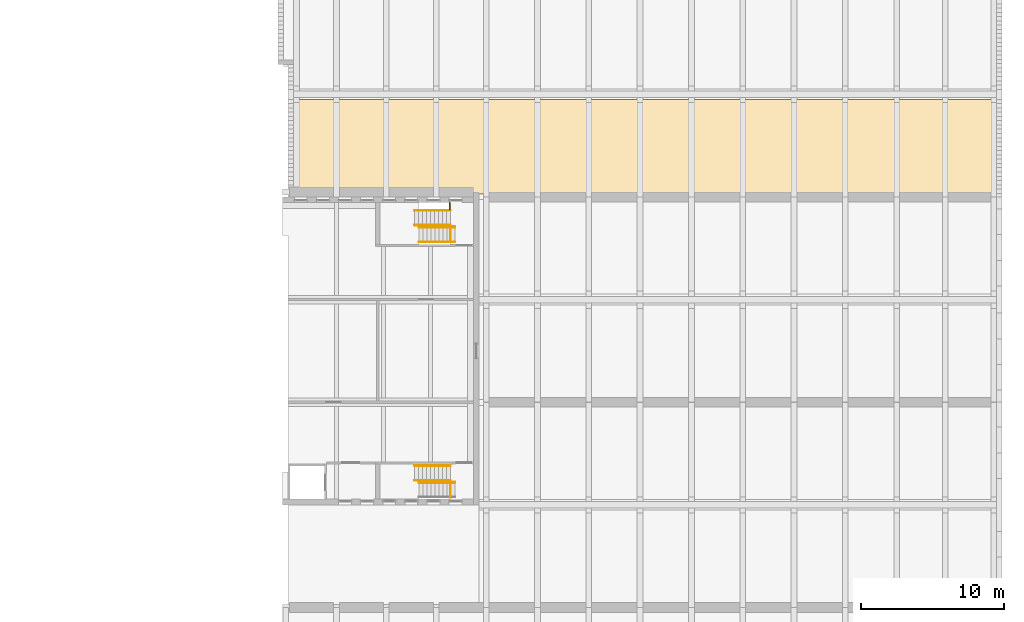
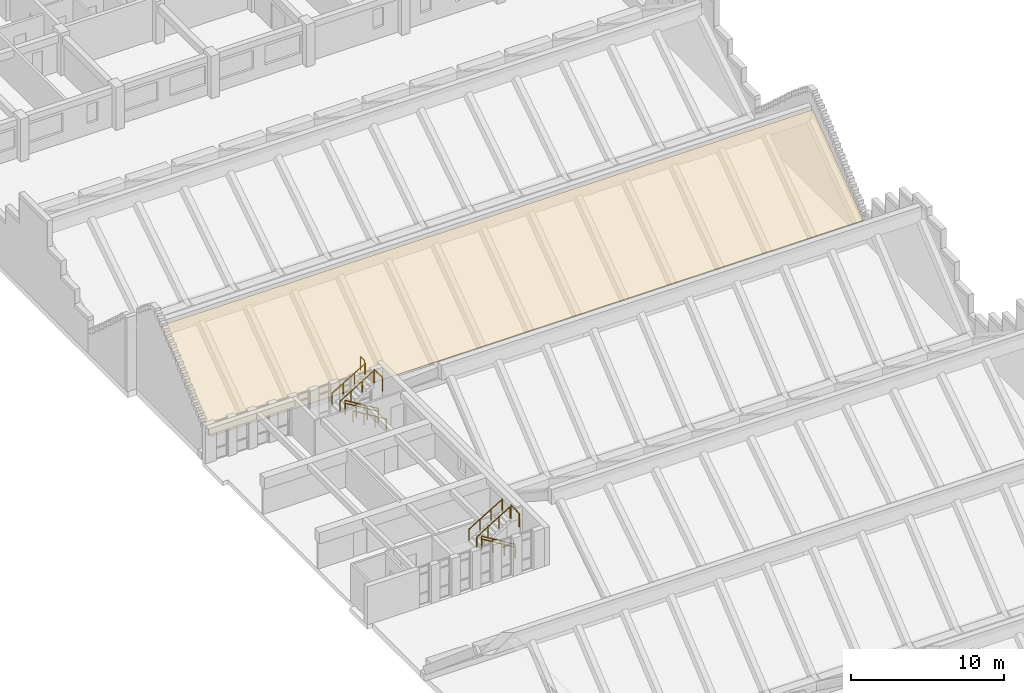
# One storey, part 30 of 31: 12 railings, 1 covering.
"""IFC4 building model written with IfcOpenShell, lengths in metres."""

import ifcopenshell
import ifcopenshell.guid

model = None  # the IFC model being written
_history = None  # IfcOwnerHistory: only IFC2X3 demands one
_inside = {}  # id of a spatial element -> (the spatial element, [elements in it])
_under = {}  # id of a project, library or spatial element -> (it, [spatial elements below it])
_declared = {}  # id of a project -> (the project, [libraries it declares])
_typed = {}  # id of a type object -> (the type object, [elements of that type])
_made_of = {}  # id of a material, layer set ... -> (it, [elements and type objects made of it])


def new_model(schema):
    """Start an empty IFC model of exactly this schema.

    Asked for "IFC4X3", IfcOpenShell would pick the latest addendum, in which some entities
    have other attributes; the version numbers below select the first issue.
    IFC2X3 requires an IfcOwnerHistory on every rooted entity: one is made here for all.
    """
    global model, _history
    if schema == "IFC4X3":
        model = ifcopenshell.file(schema_version=(4, 3, 0, 0))
    else:
        model = ifcopenshell.file(schema=schema)
    _inside.clear()
    _under.clear()
    _declared.clear()
    _typed.clear()
    _made_of.clear()
    _history = None
    if model.schema == "IFC2X3":
        org = make("IfcOrganization", Name="unknown")
        user = make(
            "IfcPersonAndOrganization",
            ThePerson=make("IfcPerson", FamilyName="unknown"),
            TheOrganization=org,
        )
        app = make(
            "IfcApplication",
            ApplicationDeveloper=org,
            Version="unknown",
            ApplicationFullName="unknown",
            ApplicationIdentifier="unknown",
        )
        _history = make(
            "IfcOwnerHistory",
            OwningUser=user,
            OwningApplication=app,
            ChangeAction="ADDED",
            CreationDate=0,
        )
    return model


def make(cls, **values):
    """One entity of the class cls with the attributes given. An attribute that is None is left unset."""
    return model.create_entity(
        cls, **{name: value for name, value in values.items() if value is not None}
    )


def rooted(cls, **values):
    """An entity with a GlobalId (a new one), such as an element, a storey or a relation."""
    return make(cls, GlobalId=ifcopenshell.guid.new(), OwnerHistory=_history, **values)


def si_unit(unit_type, name, prefix=None):
    """IfcSIUnit, for example si_unit("LENGTHUNIT", "METRE", prefix="MILLI")."""
    return make("IfcSIUnit", UnitType=unit_type, Prefix=prefix, Name=name)


def assignment(units):
    """IfcUnitAssignment: the units of a project."""
    return None if units is None else make("IfcUnitAssignment", Units=units)


def point(xyz):
    """IfcCartesianPoint."""
    return None if xyz is None else make("IfcCartesianPoint", Coordinates=xyz)


def direction(xyz):
    """IfcDirection."""
    return None if xyz is None else make("IfcDirection", DirectionRatios=xyz)


def frame(location, z_axis=None, x_axis=None):
    """IfcAxis2Placement3D, a coordinate frame: its origin and axes. An axis left out is left unset."""
    return make(
        "IfcAxis2Placement3D",
        Location=point(location),
        Axis=direction(z_axis),
        RefDirection=direction(x_axis),
    )


def frame_2d(location, x_axis=None):
    """IfcAxis2Placement2D, a coordinate frame in the plane: its origin and x axis."""
    return make(
        "IfcAxis2Placement2D", Location=point(location), RefDirection=direction(x_axis)
    )


def origin():
    """The frame at (0, 0, 0) with its axes left unset."""
    return frame((0.0, 0.0, 0.0))


def origin_2d():
    """The frame at (0, 0) in the plane with its x axis left unset."""
    return frame_2d((0.0, 0.0))


def place(relative_to, where):
    """IfcLocalPlacement: puts the frame where relative to a parent placement (None: the world)."""
    return make(
        "IfcLocalPlacement", PlacementRelTo=relative_to, RelativePlacement=where
    )


def context(
    kind, dimensions, precision=None, world=None, true_north=None, identifier=None
):
    """IfcGeometricRepresentationContext, for example the 3D "Model" context."""
    return make(
        "IfcGeometricRepresentationContext",
        ContextIdentifier=identifier,
        ContextType=kind,
        CoordinateSpaceDimension=dimensions,
        Precision=precision,
        WorldCoordinateSystem=world,
        TrueNorth=true_north,
    )


def subcontext(parent, identifier, kind, view, scale=None):
    """IfcGeometricRepresentationSubContext, for example "Body" below "Model"."""
    return make(
        "IfcGeometricRepresentationSubContext",
        ContextIdentifier=identifier,
        ContextType=kind,
        ParentContext=parent,
        TargetScale=scale,
        TargetView=view,
    )


def project(units=None, contexts=None):
    """IfcProject with its units and contexts."""
    return rooted(
        "IfcProject",
        Name="project",
        RepresentationContexts=contexts,
        UnitsInContext=assignment(units),
    )


def spatial(cls, under=None, at=None, **own):
    """A site, building, storey or space (cls), placed at a placement, below another one or the project."""
    s = rooted(cls, ObjectPlacement=at, **own)
    if under is not None:
        _under.setdefault(under.id(), (under, []))[1].append(s)
    return s


def polyline(points):
    """IfcPolyline through the points."""
    return make("IfcPolyline", Points=[point(p) for p in points])


def profile(cls, at=None, kind="AREA", **sizes):
    """A parametric profile (cls). Its sizes go by their IFC names, for example OverallWidth=200.0."""
    return make(cls, ProfileType=kind, Position=at, **sizes)


def circle(**sizes):
    """IfcCircleProfileDef."""
    return profile("IfcCircleProfileDef", **sizes)


def outline(outer, holes=None, kind="AREA"):
    """IfcArbitraryClosedProfileDef: a profile drawn as a closed curve; with holes, ...WithVoids."""
    if holes is None:
        return make("IfcArbitraryClosedProfileDef", ProfileType=kind, OuterCurve=outer)
    return make(
        "IfcArbitraryProfileDefWithVoids",
        ProfileType=kind,
        OuterCurve=outer,
        InnerCurves=holes,
    )


def extrude(swept, where, along, depth):
    """IfcExtrudedAreaSolid: the profile swept, set in the frame where, extruded along a direction by depth."""
    return make(
        "IfcExtrudedAreaSolid",
        SweptArea=swept,
        Position=where,
        ExtrudedDirection=direction(along),
        Depth=depth,
    )


def shape(context_of_items, identifier, shape_type, items):
    """IfcShapeRepresentation: the items that make up one representation, for example the "Body"."""
    return make(
        "IfcShapeRepresentation",
        ContextOfItems=context_of_items,
        RepresentationIdentifier=identifier,
        RepresentationType=shape_type,
        Items=items,
    )


def material(Name=None, Category=None):
    """IfcMaterial."""
    return make("IfcMaterial", Name=Name, Category=Category)


def layer(
    of_material, thickness, ventilated=None, Name=None, Category=None, Priority=None
):
    """IfcMaterialLayer: one layer of a wall or slab, of a material (None: an air gap)."""
    return make(
        "IfcMaterialLayer",
        Material=of_material,
        LayerThickness=thickness,
        IsVentilated=ventilated,
        Name=Name,
        Category=Category,
        Priority=Priority,
    )


def layer_set(layers, Name=None):
    """IfcMaterialLayerSet."""
    return make("IfcMaterialLayerSet", MaterialLayers=layers, LayerSetName=Name)


def made_of(thing, what):
    """Note that an element or type object is made of a material, layer set ...; save() writes the relation."""
    if what is not None:
        _made_of.setdefault(what.id(), (what, []))[1].append(thing)
    return thing


def type_object(cls, material=None, **own):
    """A type object (cls), such as IfcWallType, which elements share."""
    return made_of(rooted(cls, **own), material)


def element(
    cls,
    number,
    at=None,
    inside=None,
    cuts=None,
    type_object=None,
    material=None,
    context=None,
    identifier="Body",
    shape_type=None,
    held_by="IfcProductDefinitionShape",
    body=None,
    shapes=None,
    **own,
):
    """One element of the class cls, such as IfcWall. Its Tag is "e" and its number.

    at: its placement. inside: the storey or other place that contains it. cuts: it is an
    opening in that element (IfcRelVoidsElement). A single representation is given by context,
    identifier, shape_type and body (its items); several are given by shapes. held_by: the class
    of the entity that holds the representations. save() writes the other relations.
    """
    e = rooted(cls, Tag="e%d" % number, ObjectPlacement=at, **own)
    if body is not None:
        shapes = [shape(context, identifier, shape_type, body)]
    if shapes is not None:
        e.Representation = make(held_by, Representations=shapes)
    if inside is not None:
        _inside.setdefault(inside.id(), (inside, []))[1].append(e)
    if cuts is not None:
        rooted(
            "IfcRelVoidsElement", RelatingBuildingElement=cuts, RelatedOpeningElement=e
        )
    if type_object is not None:
        _typed.setdefault(type_object.id(), (type_object, []))[1].append(e)
    return made_of(e, material)


def aggregate(whole, parts):
    """IfcRelAggregates: a whole, such as a stair, and the parts it consists of."""
    return rooted("IfcRelAggregates", RelatingObject=whole, RelatedObjects=parts)


def save(model, path):
    """Write the relations noted so far, then the file.

    IfcRelAggregates (storeys below a building ...), IfcRelContainedInSpatialStructure (elements
    in a storey), IfcRelDefinesByType, IfcRelAssociatesMaterial and IfcRelDeclares: one each for
    every whole, place, type object, material and project.
    """
    for whole, parts in _under.values():
        aggregate(whole, parts)
    for where, things in _inside.values():
        rooted(
            "IfcRelContainedInSpatialStructure",
            RelatedElements=things,
            RelatingStructure=where,
        )
    for kind, things in _typed.values():
        rooted("IfcRelDefinesByType", RelatedObjects=things, RelatingType=kind)
    for what, things in _made_of.values():
        rooted("IfcRelAssociatesMaterial", RelatedObjects=things, RelatingMaterial=what)
    for by, libraries in _declared.values():
        rooted("IfcRelDeclares", RelatingContext=by, RelatedDefinitions=libraries)
    model.write(path)


model = new_model("IFC4")

# Units and contexts
model_context = context("Model", 3, precision=1e-05, world=origin(), true_north=direction((0.0, 1.0)))
body_context = subcontext(model_context, "Body", "Model", "MODEL_VIEW")
ifc_project = project(units=[si_unit("LENGTHUNIT", "METRE"), si_unit("AREAUNIT", "SQUARE_METRE"), si_unit("VOLUMEUNIT", "CUBIC_METRE"), si_unit("PLANEANGLEUNIT", "RADIAN"), si_unit("MASSUNIT", "GRAM", prefix="KILO")], contexts=[model_context])

# Site, building, storey
site_placement = place(None, origin())
site = spatial("IfcSite", under=ifc_project, at=site_placement, CompositionType="ELEMENT")
building_placement = place(site_placement, origin())
building = spatial("IfcBuilding", under=site, at=building_placement, Name="Vermilion Court Aquatics Centre", CompositionType="ELEMENT")
storey_placement = place(building_placement, frame((0.0, 0.0, 16.5)))
storey = spatial("IfcBuildingStorey", under=building, at=storey_placement, Name="L03", CompositionType="ELEMENT", Elevation=16.5)

# Railings
ifc_material_1 = material(Name="Steel ASTM A992 Grade 50", Category="steel")
railing_type_1 = type_object("IfcRailingType", Name="Diving Tower stair guard 1100", PredefinedType="GUARDRAIL", material=ifc_material_1)
railing_1_placement = place(storey_placement, frame((156.199951171875, 37.60498046875, 0.169921875)))
element("IfcRailing", 1, at=railing_1_placement, inside=storey, type_object=railing_type_1, Name="Stair 1 guard well L03", PredefinedType="GUARDRAIL", context=body_context, shape_type="SweptSolid", body=[
    extrude(circle(Radius=0.02392578125, at=origin_2d()), frame((0.0, 0.0, 1.076171875), z_axis=(-0.85478489116, 0.0, 0.518982456201), x_axis=(0.0, -1.0, 0.0)), (0.0, 0.0, 1.0), 2.9482421875),
    extrude(circle(Radius=0.02099609375, at=origin_2d()), origin(), (0.0, 0.0, 1.0), 1.052001953125),
    extrude(circle(Radius=0.02099609375, at=origin_2d()), frame((-0.840087890625, 0.0, 0.510009765625)), (0.0, 0.0, 1.0), 1.052001953125),
    extrude(circle(Radius=0.02099609375, at=origin_2d()), frame((-1.679931640625, 0.0, 1.02001953125)), (0.0, 0.0, 1.0), 1.052001953125),
    extrude(circle(Radius=0.02099609375, at=origin_2d()), frame((-2.52001953125, 0.0, 1.530029296875)), (0.0, 0.0, 1.0), 1.052001953125),
])
railing_2_placement = place(storey_placement, frame((155.89990234375, 37.60009765625, 3.39990234375)))
element("IfcRailing", 2, at=railing_2_placement, inside=storey, type_object=railing_type_1, Name="Stair 1 floor edge guard L03", PredefinedType="GUARDRAIL", context=body_context, shape_type="SweptSolid", body=[
    extrude(circle(Radius=0.02392578125, at=origin_2d()), frame((0.0, 0.0, 1.076171875), z_axis=(0.0, -1.0, 0.0), x_axis=(1.0, 0.0, 0.0)), (0.0, 0.0, 1.0), 1.070068359375),
    extrude(circle(Radius=0.02099609375, at=origin_2d()), origin(), (0.0, 0.0, 1.0), 1.052001953125),
    extrude(circle(Radius=0.02099609375, at=origin_2d()), frame((0.0, -1.070068359375, 0.0)), (0.0, 0.0, 1.0), 1.052001953125),
])
railing_3_placement = place(storey_placement, frame((156.199951171875, 55.5048828125, 0.169921875)))
element("IfcRailing", 3, at=railing_3_placement, inside=storey, type_object=railing_type_1, Name="Stair 2 guard well L03", PredefinedType="GUARDRAIL", context=body_context, shape_type="SweptSolid", body=[
    extrude(circle(Radius=0.02392578125, at=origin_2d()), frame((0.0, 0.0, 1.076171875), z_axis=(-0.85478489116, 0.0, 0.518982456201), x_axis=(0.0, -1.0, 0.0)), (0.0, 0.0, 1.0), 2.9482421875),
    extrude(circle(Radius=0.02099609375, at=origin_2d()), origin(), (0.0, 0.0, 1.0), 1.052001953125),
    extrude(circle(Radius=0.02099609375, at=origin_2d()), frame((-0.840087890625, 0.0, 0.510009765625)), (0.0, 0.0, 1.0), 1.052001953125),
    extrude(circle(Radius=0.02099609375, at=origin_2d()), frame((-1.679931640625, 0.0, 1.02001953125)), (0.0, 0.0, 1.0), 1.052001953125),
    extrude(circle(Radius=0.02099609375, at=origin_2d()), frame((-2.52001953125, 0.0, 1.530029296875)), (0.0, 0.0, 1.0), 1.052001953125),
])
railing_4_placement = place(storey_placement, frame((155.85009765625, 56.699951171875, 3.39990234375)))
element("IfcRailing", 4, at=railing_4_placement, inside=storey, type_object=railing_type_1, Name="Stair 2 floor edge guard slot L03", PredefinedType="GUARDRAIL", context=body_context, shape_type="SweptSolid", body=[
    extrude(circle(Radius=0.02392578125, at=origin_2d()), frame((0.0, 0.0, 1.076171875), z_axis=(0.0, 1.0, 0.0), x_axis=(-1.0, 0.0, 0.0)), (0.0, 0.0, 1.0), 0.5),
    extrude(circle(Radius=0.02099609375, at=origin_2d()), origin(), (0.0, 0.0, 1.0), 1.052001953125),
    extrude(circle(Radius=0.02099609375, at=origin_2d()), frame((0.0, 0.5, 0.0)), (0.0, 0.0, 1.0), 1.052001953125),
])
railing_5_placement = place(storey_placement, frame((155.89990234375, 55.5, 3.39990234375)))
element("IfcRailing", 5, at=railing_5_placement, inside=storey, type_object=railing_type_1, Name="Stair 2 floor edge guard L03", PredefinedType="GUARDRAIL", context=body_context, shape_type="SweptSolid", body=[
    extrude(circle(Radius=0.02392578125, at=origin_2d()), frame((0.0, 0.0, 1.076171875), z_axis=(0.0, -1.0, 0.0), x_axis=(1.0, 0.0, 0.0)), (0.0, 0.0, 1.0), 1.070068359375),
    extrude(circle(Radius=0.02099609375, at=origin_2d()), origin(), (0.0, 0.0, 1.0), 1.052001953125),
    extrude(circle(Radius=0.02099609375, at=origin_2d()), frame((0.0, -1.070068359375, 0.0)), (0.0, 0.0, 1.0), 1.052001953125),
])
ifc_material_2 = material(Name="Steel ASTM A992 Grade 50", Category="steel")
railing_type_2 = type_object("IfcRailingType", Name="Diving Tower stair handrail 900", PredefinedType="HANDRAIL", material=ifc_material_2)
railing_6_placement = place(storey_placement, frame((156.199951171875, 37.554931640625, 0.169921875)))
element("IfcRailing", 6, at=railing_6_placement, inside=storey, type_object=railing_type_2, Name="Stair 1 handrail well L03", PredefinedType="HANDRAIL", context=body_context, shape_type="SweptSolid", body=[
    extrude(circle(Radius=0.02392578125, at=origin_2d()), frame((0.0, 0.0, 0.8759765625), z_axis=(-0.85478489116, 0.0, 0.518982456201), x_axis=(0.0, -1.0, 0.0)), (0.0, 0.0, 1.0), 2.9482421875),
    extrude(circle(Radius=0.02099609375, at=origin_2d()), origin(), (0.0, 0.0, 1.0), 0.851806640625),
    extrude(circle(Radius=0.02099609375, at=origin_2d()), frame((-0.840087890625, 0.0, 0.510009765625)), (0.0, 0.0, 1.0), 0.851806640625),
    extrude(circle(Radius=0.02099609375, at=origin_2d()), frame((-1.679931640625, 0.0, 1.02001953125)), (0.0, 0.0, 1.0), 0.851806640625),
    extrude(circle(Radius=0.02099609375, at=origin_2d()), frame((-2.52001953125, 0.0, 1.530029296875)), (0.0, 0.0, 1.0), 0.851806640625),
])
for number, where, name in (
    (7, (153.3798828125, 38.75, 1.8701171875), "Stair 1 handrail wall L03"),
    (8, (153.3798828125, 37.719970703125, 1.8701171875), "Stair 1 handrail well L03"),
):
    element("IfcRailing", number, at=place(storey_placement, frame(where)), inside=storey, type_object=railing_type_2, Name=name, PredefinedType="HANDRAIL", context=body_context, shape_type="SweptSolid", body=[
        extrude(circle(Radius=0.02392578125, at=origin_2d()), frame((0.0, 0.0, 0.8759765625), z_axis=(0.854821627497, 0.0, 0.518921945155), x_axis=(0.0, 1.0, 0.0)), (0.0, 0.0, 1.0), 2.947998046875),
        extrude(circle(Radius=0.02099609375, at=origin_2d()), origin(), (0.0, 0.0, 1.0), 0.851806640625),
        extrude(circle(Radius=0.02099609375, at=origin_2d()), frame((0.840087890625, 0.0, 0.510009765625)), (0.0, 0.0, 1.0), 0.851806640625),
        extrude(circle(Radius=0.02099609375, at=origin_2d()), frame((1.679931640625, 0.0, 1.019775390625)), (0.0, 0.0, 1.0), 0.851806640625),
        extrude(circle(Radius=0.02099609375, at=origin_2d()), frame((2.52001953125, 0.0, 1.52978515625)), (0.0, 0.0, 1.0), 0.851806640625),
    ])
for number, where, name in (
    (9, (156.199951171875, 54.449951171875, 0.169921875), "Stair 2 handrail wall L03"),
    (10, (156.199951171875, 55.455078125, 0.169921875), "Stair 2 handrail well L03"),
):
    element("IfcRailing", number, at=place(storey_placement, frame(where)), inside=storey, type_object=railing_type_2, Name=name, PredefinedType="HANDRAIL", context=body_context, shape_type="SweptSolid", body=[
        extrude(circle(Radius=0.02392578125, at=origin_2d()), frame((0.0, 0.0, 0.8759765625), z_axis=(-0.85478489116, 0.0, 0.518982456201), x_axis=(0.0, -1.0, 0.0)), (0.0, 0.0, 1.0), 2.9482421875),
        extrude(circle(Radius=0.02099609375, at=origin_2d()), origin(), (0.0, 0.0, 1.0), 0.851806640625),
        extrude(circle(Radius=0.02099609375, at=origin_2d()), frame((-0.840087890625, 0.0, 0.510009765625)), (0.0, 0.0, 1.0), 0.851806640625),
        extrude(circle(Radius=0.02099609375, at=origin_2d()), frame((-1.679931640625, 0.0, 1.02001953125)), (0.0, 0.0, 1.0), 0.851806640625),
        extrude(circle(Radius=0.02099609375, at=origin_2d()), frame((-2.52001953125, 0.0, 1.530029296875)), (0.0, 0.0, 1.0), 0.851806640625),
    ])
for number, where, name in (
    (11, (153.3798828125, 56.64990234375, 1.8701171875), "Stair 2 handrail wall L03"),
    (12, (153.3798828125, 55.6201171875, 1.8701171875), "Stair 2 handrail well L03"),
):
    element("IfcRailing", number, at=place(storey_placement, frame(where)), inside=storey, type_object=railing_type_2, Name=name, PredefinedType="HANDRAIL", context=body_context, shape_type="SweptSolid", body=[
        extrude(circle(Radius=0.02392578125, at=origin_2d()), frame((0.0, 0.0, 0.8759765625), z_axis=(0.854821627497, 0.0, 0.518921945155), x_axis=(0.0, 1.0, 0.0)), (0.0, 0.0, 1.0), 2.947998046875),
        extrude(circle(Radius=0.02099609375, at=origin_2d()), origin(), (0.0, 0.0, 1.0), 0.851806640625),
        extrude(circle(Radius=0.02099609375, at=origin_2d()), frame((0.840087890625, 0.0, 0.510009765625)), (0.0, 0.0, 1.0), 0.851806640625),
        extrude(circle(Radius=0.02099609375, at=origin_2d()), frame((1.679931640625, 0.0, 1.019775390625)), (0.0, 0.0, 1.0), 0.851806640625),
        extrude(circle(Radius=0.02099609375, at=origin_2d()), frame((2.52001953125, 0.0, 1.52978515625)), (0.0, 0.0, 1.0), 0.851806640625),
    ])

# Covering
ifc_material_3 = material(Name="Terracotta cladding", Category="masonry")
ifc_layer = layer(ifc_material_3, 0.0400390625)
ifc_layer_set = layer_set([ifc_layer], Name="Range roof tile covering 40")
covering_type = type_object("IfcCoveringType", Name="Range roof tile covering 40", PredefinedType="ROOFING", material=ifc_layer_set)
covering_placement = place(storey_placement, frame((144.89990234375, 57.802978515625, 1.591064453125), z_axis=(0.0, -0.587776314388, 0.809023488067), x_axis=(1.0, 0.0, 0.0)))
element("IfcCovering", 13, at=covering_placement, inside=storey, type_object=covering_type, Name="Range roof tile covering", PredefinedType="ROOFING", context=body_context, shape_type="SweptSolid", body=[
    extrude(outline(polyline([(0.0, 0.0), (49.300048828125, 0.0), (49.300048828125, 8.188884621667878), (0.0, 8.188884621667878), (0.0, 0.0)])), origin(), (0.0, -0.587776314388, -0.809023488067), 0.04931640625),
])

save(model, "model.ifc")
